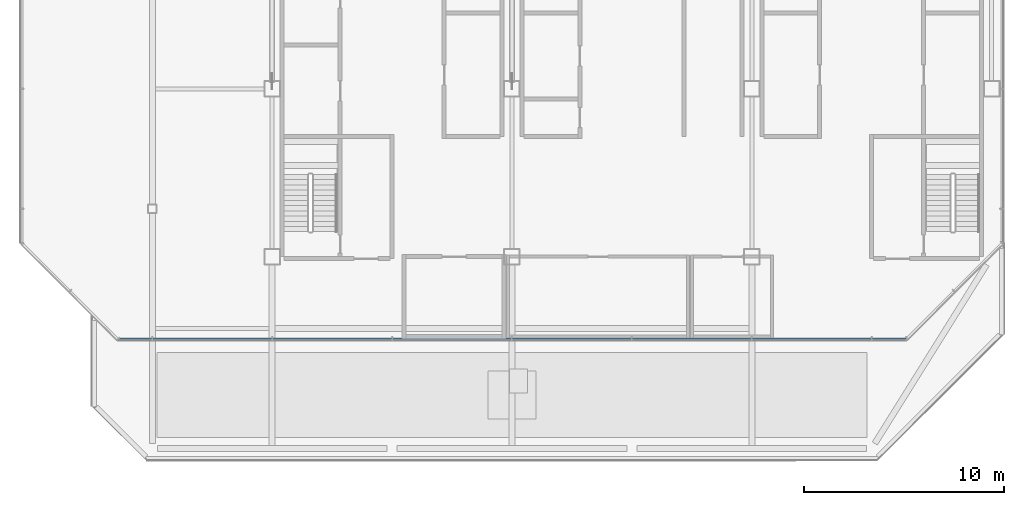
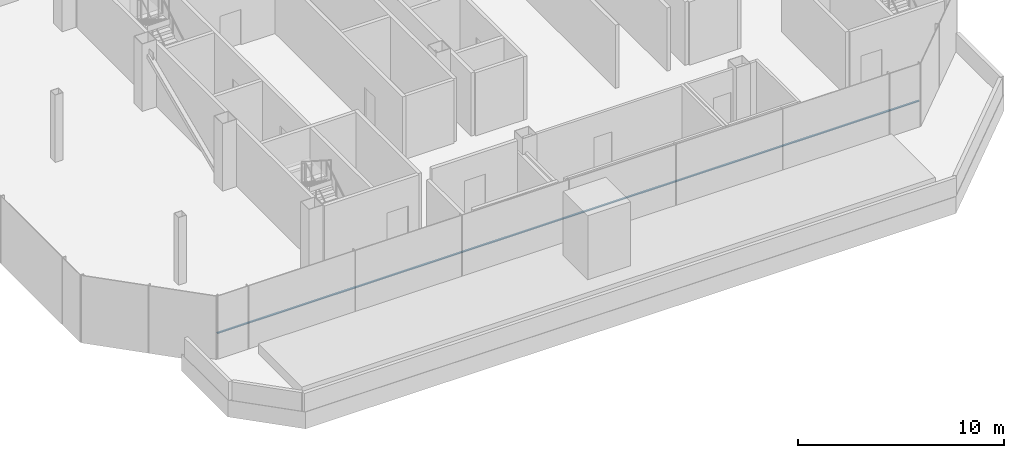
# One storey, part 4 of 18: 1 member, 1 element without a shape of its own.
"""IFC4 building model written with IfcOpenShell, lengths in metres."""

from ifc_helpers import new_model, si_unit, direction, frame, origin, origin_2d, place, context, subcontext, project, spatial, rectangle, extrude, material, material_profile, profile_set, type_object, element, aggregate, save


model = new_model("IFC4")

# Units and contexts
model_context = context("Model", 3, precision=1e-05, world=origin(), true_north=direction((0.0, 1.0)))
body_context = subcontext(model_context, "Body", "Model", "MODEL_VIEW")
ifc_project = project(units=[si_unit("LENGTHUNIT", "METRE"), si_unit("AREAUNIT", "SQUARE_METRE"), si_unit("VOLUMEUNIT", "CUBIC_METRE"), si_unit("PLANEANGLEUNIT", "RADIAN"), si_unit("MASSUNIT", "GRAM", prefix="KILO")], contexts=[model_context])

# Site, building, storey
site_placement = place(None, origin())
site = spatial("IfcSite", under=ifc_project, at=site_placement, CompositionType="ELEMENT")
building_placement = place(site_placement, origin())
building = spatial("IfcBuilding", under=site, at=building_placement, Name="Sorahane Residences", CompositionType="ELEMENT")
storey_placement = place(building_placement, frame((0.0, 0.0, 345.800048828125)))
storey = spatial("IfcBuildingStorey", under=building, at=storey_placement, Name="L82", CompositionType="ELEMENT", Elevation=345.800048828125)

# Curtain wall, member
ifc_material_1 = material(Name="Dark low-e glass and black anodised aluminium", Category="aluminium")
curtain_wall_type = type_object("IfcCurtainWallType", Name="Curtain wall CW-6 Crown unitised wall", PredefinedType="NOTDEFINED", material=ifc_material_1)
curtain_wall_placement = place(storey_placement, origin())
curtain_wall = element("IfcCurtainWall", 1, at=curtain_wall_placement, inside=storey, type_object=curtain_wall_type, Name="CW-6 curtain wall L82 S1", PredefinedType="NOTDEFINED")
ifc_material_2 = material(Name="Black anodised aluminium", Category="aluminium")
ifc_material_profile = material_profile(ifc_material_2, rectangle(XDim=0.10009765625, YDim=0.06005859375, at=origin_2d()), Name="Curtain wall transom CW-6 black anodised aluminium 60x100")
ifc_profile_set = profile_set([ifc_material_profile], Name="Black anodised aluminium")
member_type = type_object("IfcMemberType", Name="Curtain wall transom CW-6 black anodised aluminium 60x100", PredefinedType="USERDEFINED", material=ifc_profile_set)
member_placement = place(storey_placement, frame((-1.698486328125, 17.469970703125, 1.5), z_axis=(1.0, 0.0, 0.0), x_axis=(0.0, 1.0, 0.0)))
member = element("IfcMember", 2, at=member_placement, type_object=member_type, Name="CW-6 transom L82 S1", ObjectType="TRANSOM", PredefinedType="USERDEFINED", context=body_context, shape_type="SweptSolid", body=[
    extrude(rectangle(XDim=0.10009765625, YDim=0.06005859375, at=origin_2d()), origin(), (0.0, 0.0, 1.0), 39.39697265625),
])
aggregate(curtain_wall, [member])

save(model, "model.ifc")
